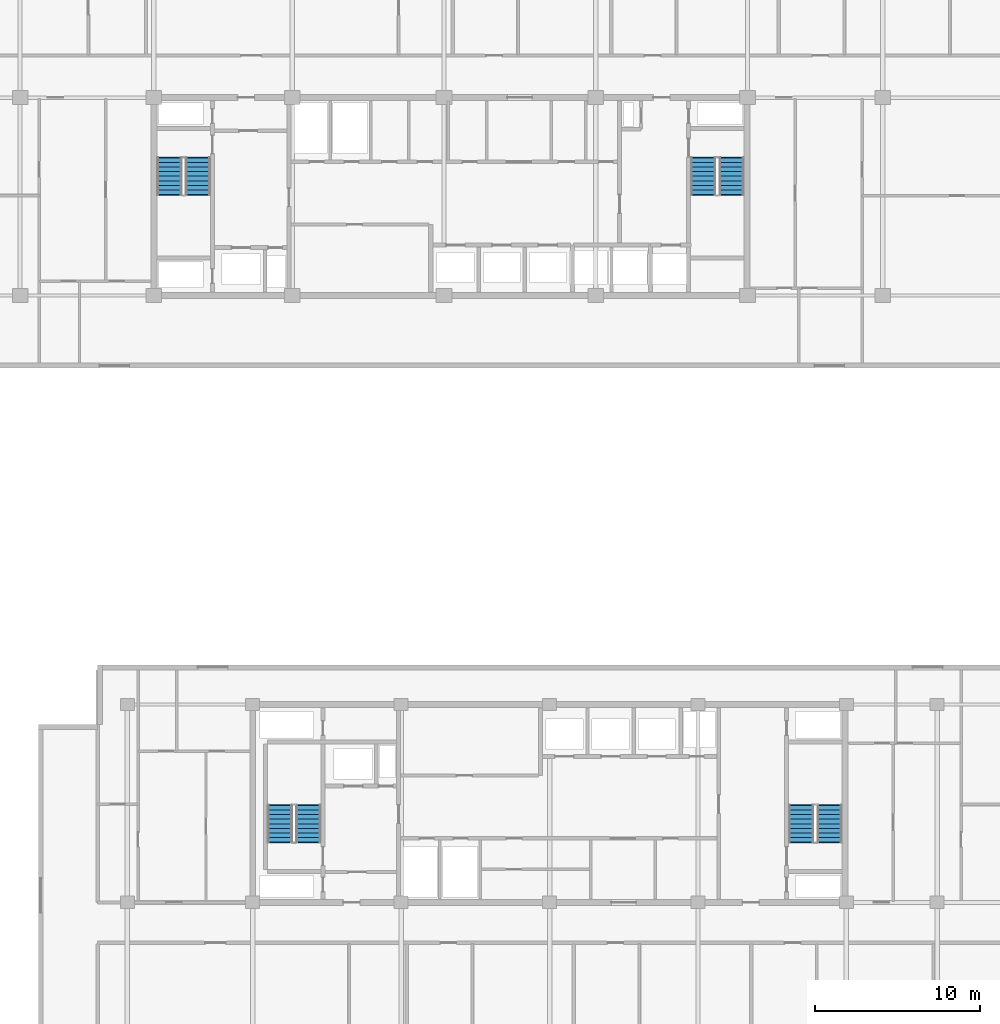
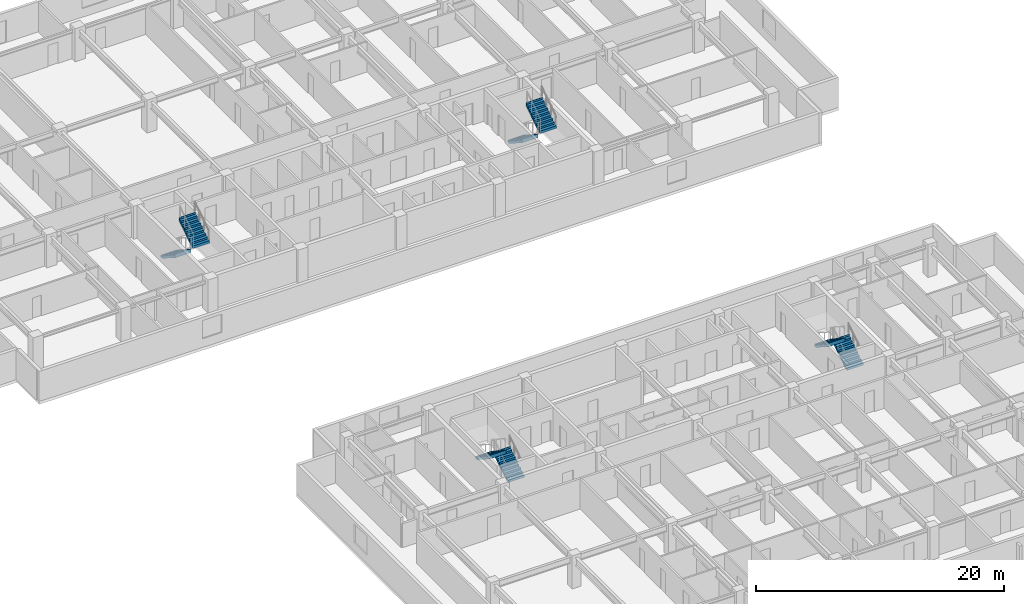
# One storey, part 16 of 21: 8 stair flights, 4 elements without a shape of their own.
"""IFC4 building model written with IfcOpenShell, lengths in metres."""

from ifc_helpers import new_model, si_unit, direction, frame, origin, place, context, subcontext, project, spatial, polyline, outline, extrude, material, type_object, element, aggregate, save


model = new_model("IFC4")

# Units and contexts
model_context = context("Model", 3, precision=1e-05, world=origin(), true_north=direction((0.0, 1.0)))
body_context = subcontext(model_context, "Body", "Model", "MODEL_VIEW")
ifc_project = project(units=[si_unit("LENGTHUNIT", "METRE"), si_unit("AREAUNIT", "SQUARE_METRE"), si_unit("VOLUMEUNIT", "CUBIC_METRE"), si_unit("PLANEANGLEUNIT", "RADIAN"), si_unit("MASSUNIT", "GRAM", prefix="KILO")], contexts=[model_context])

# Site, building, storey
site_placement = place(None, origin())
site = spatial("IfcSite", under=ifc_project, at=site_placement, CompositionType="ELEMENT")
building_placement = place(site_placement, origin())
building = spatial("IfcBuilding", under=site, at=building_placement, Name="Korimba Cascade Residences", CompositionType="ELEMENT")
storey_placement = place(building_placement, frame((0.0, 0.0, 100.300048828125)))
storey = spatial("IfcBuildingStorey", under=building, at=storey_placement, Name="L28", CompositionType="ELEMENT", Elevation=100.300048828125)

# Stair, stair flights
ifc_material = material(Name="Concrete C50/60", Category="concrete")
stair_type_1 = type_object("IfcStairType", Name="STR-W1-18R-1806", PredefinedType="HALF_TURN_STAIR", material=ifc_material)
stair_1_placement = place(storey_placement, origin())
stair_1 = element("IfcStair", 1, at=stair_1_placement, inside=storey, type_object=stair_type_1, Name="L28 Tower 1 West Fire Stair ST-W1", PredefinedType="HALF_TURN_STAIR")
stair_flight_type = type_object("IfcStairFlightType", Name="STF-DL-18R-1806-1520", PredefinedType="STRAIGHT", material=ifc_material)
stair_flight_1_placement = place(storey_placement, frame((77.06005859375, 63.550048828125, 0.0), z_axis=(0.0, 0.0, 1.0), x_axis=(0.0, -1.0, 0.0)))
stair_flight_1 = element("IfcStairFlight", 2, at=stair_flight_1_placement, type_object=stair_flight_type, Name="ST-W1 flight 1", NumberOfRisers=9, NumberOfTreads=8, PredefinedType="STRAIGHT", RiserHeight=0.180555556, TreadLength=0.28, context=body_context, shape_type="SweptSolid", body=[
    extrude(outline(polyline([(-0.0380859375, 0.0), (0.0, 0.1806640625), (0.280029296875, 0.1806640625), (0.280029296875, 0.361083984375), (0.56005859375, 0.361083984375), (0.56005859375, 0.541748046875), (0.840087890625, 0.541748046875), (0.840087890625, 0.72216796875), (1.1201171875, 0.72216796875), (1.1201171875, 0.90283203125), (1.39990234375, 0.90283203125), (1.39990234375, 1.083251953125), (1.679931640625, 1.083251953125), (1.679931640625, 1.263916015625), (1.9599609375, 1.263916015625), (1.9599609375, 1.4443359375), (2.239990234375, 1.4443359375), (2.239990234375, 1.625), (2.278076171875, 1.625), (2.278076171875, 1.26611328125), (0.276611328125, 0.0), (0.276611328125, -0.0380859375), (-0.0380859375, -0.0380859375), (-0.0380859375, 0.0)])), frame((0.0, 0.760009765625, 0.0), z_axis=(0.0, -1.0, 0.0), x_axis=(1.0, 0.0, 0.0)), (0.0, 0.0, 1.0), 1.52001953125),
])
stair_flight_2_placement = place(storey_placement, frame((78.780029296875, 61.31005859375, 1.625), z_axis=(0.0, 0.0, 1.0), x_axis=(0.0, 1.0, 0.0)))
stair_flight_2 = element("IfcStairFlight", 3, at=stair_flight_2_placement, type_object=stair_flight_type, Name="ST-W1 flight 2", NumberOfRisers=9, NumberOfTreads=8, PredefinedType="STRAIGHT", RiserHeight=0.180555556, TreadLength=0.28, context=body_context, shape_type="SweptSolid", body=[
    extrude(outline(polyline([(-0.0380859375, 0.0), (0.0, 0.1806640625), (0.280029296875, 0.1806640625), (0.280029296875, 0.361083984375), (0.56005859375, 0.361083984375), (0.56005859375, 0.541748046875), (0.840087890625, 0.541748046875), (0.840087890625, 0.72216796875), (1.1201171875, 0.72216796875), (1.1201171875, 0.90283203125), (1.39990234375, 0.90283203125), (1.39990234375, 1.083251953125), (1.679931640625, 1.083251953125), (1.679931640625, 1.263916015625), (1.9599609375, 1.263916015625), (1.9599609375, 1.4443359375), (2.239990234375, 1.4443359375), (2.239990234375, 1.625), (2.278076171875, 1.625), (2.278076171875, 1.26611328125), (0.276611328125, 0.0), (0.276611328125, -0.0380859375), (-0.0380859375, -0.0380859375), (-0.0380859375, 0.0)])), frame((0.0, 0.760009765625, 0.0), z_axis=(0.0, -1.0, 0.0), x_axis=(1.0, 0.0, 0.0)), (0.0, 0.0, 1.0), 1.52001953125),
])
aggregate(stair_1, [stair_flight_1, stair_flight_2])

stair_type_2 = type_object("IfcStairType", Name="STR-W2-18R-1806", PredefinedType="HALF_TURN_STAIR", material=ifc_material)
stair_2_placement = place(storey_placement, origin())
stair_2 = element("IfcStair", 4, at=stair_2_placement, inside=storey, type_object=stair_type_2, Name="L28 Tower 1 East Fire Stair ST-W2", PredefinedType="HALF_TURN_STAIR")
stair_flight_3_placement = place(storey_placement, frame((109.419921875, 63.550048828125, 0.0), z_axis=(0.0, 0.0, 1.0), x_axis=(0.0, -1.0, 0.0)))
stair_flight_3 = element("IfcStairFlight", 5, at=stair_flight_3_placement, type_object=stair_flight_type, Name="ST-W2 flight 1", NumberOfRisers=9, NumberOfTreads=8, PredefinedType="STRAIGHT", RiserHeight=0.180555556, TreadLength=0.28, context=body_context, shape_type="SweptSolid", body=[
    extrude(outline(polyline([(-0.0380859375, 0.0), (0.0, 0.1806640625), (0.280029296875, 0.1806640625), (0.280029296875, 0.361083984375), (0.56005859375, 0.361083984375), (0.56005859375, 0.541748046875), (0.840087890625, 0.541748046875), (0.840087890625, 0.72216796875), (1.1201171875, 0.72216796875), (1.1201171875, 0.90283203125), (1.39990234375, 0.90283203125), (1.39990234375, 1.083251953125), (1.679931640625, 1.083251953125), (1.679931640625, 1.263916015625), (1.9599609375, 1.263916015625), (1.9599609375, 1.4443359375), (2.239990234375, 1.4443359375), (2.239990234375, 1.625), (2.278076171875, 1.625), (2.278076171875, 1.26611328125), (0.276611328125, 0.0), (0.276611328125, -0.0380859375), (-0.0380859375, -0.0380859375), (-0.0380859375, 0.0)])), frame((0.0, 0.760009765625, 0.0), z_axis=(0.0, -1.0, 0.0), x_axis=(1.0, 0.0, 0.0)), (0.0, 0.0, 1.0), 1.52001953125),
])
stair_flight_4_placement = place(storey_placement, frame((111.139892578125, 61.31005859375, 1.625), z_axis=(0.0, 0.0, 1.0), x_axis=(0.0, 1.0, 0.0)))
stair_flight_4 = element("IfcStairFlight", 6, at=stair_flight_4_placement, type_object=stair_flight_type, Name="ST-W2 flight 2", NumberOfRisers=9, NumberOfTreads=8, PredefinedType="STRAIGHT", RiserHeight=0.180555556, TreadLength=0.28, context=body_context, shape_type="SweptSolid", body=[
    extrude(outline(polyline([(-0.0380859375, 0.0), (0.0, 0.1806640625), (0.280029296875, 0.1806640625), (0.280029296875, 0.361083984375), (0.56005859375, 0.361083984375), (0.56005859375, 0.541748046875), (0.840087890625, 0.541748046875), (0.840087890625, 0.72216796875), (1.1201171875, 0.72216796875), (1.1201171875, 0.90283203125), (1.39990234375, 0.90283203125), (1.39990234375, 1.083251953125), (1.679931640625, 1.083251953125), (1.679931640625, 1.263916015625), (1.9599609375, 1.263916015625), (1.9599609375, 1.4443359375), (2.239990234375, 1.4443359375), (2.239990234375, 1.625), (2.278076171875, 1.625), (2.278076171875, 1.26611328125), (0.276611328125, 0.0), (0.276611328125, -0.0380859375), (-0.0380859375, -0.0380859375), (-0.0380859375, 0.0)])), frame((0.0, 0.760009765625, 0.0), z_axis=(0.0, -1.0, 0.0), x_axis=(1.0, 0.0, 0.0)), (0.0, 0.0, 1.0), 1.52001953125),
])
aggregate(stair_2, [stair_flight_3, stair_flight_4])

stair_type_3 = type_object("IfcStairType", Name="STR-E1-18R-1806", PredefinedType="HALF_TURN_STAIR", material=ifc_material)
stair_3_placement = place(storey_placement, origin())
stair_3 = element("IfcStair", 7, at=stair_3_placement, inside=storey, type_object=stair_type_3, Name="L28 Tower 2 West Fire Stair ST-E1", PredefinedType="HALF_TURN_STAIR")
stair_flight_5_placement = place(storey_placement, frame((85.47998046875, 22.050048828125, 0.0), z_axis=(0.0, 0.0, 1.0), x_axis=(0.0, 1.0, 0.0)))
stair_flight_5 = element("IfcStairFlight", 8, at=stair_flight_5_placement, type_object=stair_flight_type, Name="ST-E1 flight 1", NumberOfRisers=9, NumberOfTreads=8, PredefinedType="STRAIGHT", RiserHeight=0.180555556, TreadLength=0.28, context=body_context, shape_type="SweptSolid", body=[
    extrude(outline(polyline([(-0.0380859375, 0.0), (0.0, 0.1806640625), (0.280029296875, 0.1806640625), (0.280029296875, 0.361083984375), (0.56005859375, 0.361083984375), (0.56005859375, 0.541748046875), (0.840087890625, 0.541748046875), (0.840087890625, 0.72216796875), (1.1201171875, 0.72216796875), (1.1201171875, 0.90283203125), (1.39990234375, 0.90283203125), (1.39990234375, 1.083251953125), (1.679931640625, 1.083251953125), (1.679931640625, 1.263916015625), (1.9599609375, 1.263916015625), (1.9599609375, 1.4443359375), (2.239990234375, 1.4443359375), (2.239990234375, 1.625), (2.278076171875, 1.625), (2.278076171875, 1.26611328125), (0.276611328125, 0.0), (0.276611328125, -0.0380859375), (-0.0380859375, -0.0380859375), (-0.0380859375, 0.0)])), frame((0.0, 0.760009765625, 0.0), z_axis=(0.0, -1.0, 0.0), x_axis=(1.0, 0.0, 0.0)), (0.0, 0.0, 1.0), 1.52001953125),
])
stair_flight_6_placement = place(storey_placement, frame((83.760009765625, 24.2900390625, 1.625), z_axis=(0.0, 0.0, 1.0), x_axis=(0.0, -1.0, 0.0)))
stair_flight_6 = element("IfcStairFlight", 9, at=stair_flight_6_placement, type_object=stair_flight_type, Name="ST-E1 flight 2", NumberOfRisers=9, NumberOfTreads=8, PredefinedType="STRAIGHT", RiserHeight=0.180555556, TreadLength=0.28, context=body_context, shape_type="SweptSolid", body=[
    extrude(outline(polyline([(-0.0380859375, 0.0), (0.0, 0.1806640625), (0.280029296875, 0.1806640625), (0.280029296875, 0.361083984375), (0.56005859375, 0.361083984375), (0.56005859375, 0.541748046875), (0.840087890625, 0.541748046875), (0.840087890625, 0.72216796875), (1.1201171875, 0.72216796875), (1.1201171875, 0.90283203125), (1.39990234375, 0.90283203125), (1.39990234375, 1.083251953125), (1.679931640625, 1.083251953125), (1.679931640625, 1.263916015625), (1.9599609375, 1.263916015625), (1.9599609375, 1.4443359375), (2.239990234375, 1.4443359375), (2.239990234375, 1.625), (2.278076171875, 1.625), (2.278076171875, 1.26611328125), (0.276611328125, 0.0), (0.276611328125, -0.0380859375), (-0.0380859375, -0.0380859375), (-0.0380859375, 0.0)])), frame((0.0, 0.760009765625, 0.0), z_axis=(0.0, -1.0, 0.0), x_axis=(1.0, 0.0, 0.0)), (0.0, 0.0, 1.0), 1.52001953125),
])
aggregate(stair_3, [stair_flight_5, stair_flight_6])

stair_type_4 = type_object("IfcStairType", Name="STR-E2-18R-1806", PredefinedType="HALF_TURN_STAIR", material=ifc_material)
stair_4_placement = place(storey_placement, origin())
stair_4 = element("IfcStair", 10, at=stair_4_placement, inside=storey, type_object=stair_type_4, Name="L28 Tower 2 East Fire Stair ST-E2", PredefinedType="HALF_TURN_STAIR")
stair_flight_7_placement = place(storey_placement, frame((117.080078125, 22.050048828125, 0.0), z_axis=(0.0, 0.0, 1.0), x_axis=(0.0, 1.0, 0.0)))
stair_flight_7 = element("IfcStairFlight", 11, at=stair_flight_7_placement, type_object=stair_flight_type, Name="ST-E2 flight 1", NumberOfRisers=9, NumberOfTreads=8, PredefinedType="STRAIGHT", RiserHeight=0.180555556, TreadLength=0.28, context=body_context, shape_type="SweptSolid", body=[
    extrude(outline(polyline([(-0.0380859375, 0.0), (0.0, 0.1806640625), (0.280029296875, 0.1806640625), (0.280029296875, 0.361083984375), (0.56005859375, 0.361083984375), (0.56005859375, 0.541748046875), (0.840087890625, 0.541748046875), (0.840087890625, 0.72216796875), (1.1201171875, 0.72216796875), (1.1201171875, 0.90283203125), (1.39990234375, 0.90283203125), (1.39990234375, 1.083251953125), (1.679931640625, 1.083251953125), (1.679931640625, 1.263916015625), (1.9599609375, 1.263916015625), (1.9599609375, 1.4443359375), (2.239990234375, 1.4443359375), (2.239990234375, 1.625), (2.278076171875, 1.625), (2.278076171875, 1.26611328125), (0.276611328125, 0.0), (0.276611328125, -0.0380859375), (-0.0380859375, -0.0380859375), (-0.0380859375, 0.0)])), frame((0.0, 0.760009765625, 0.0), z_axis=(0.0, -1.0, 0.0), x_axis=(1.0, 0.0, 0.0)), (0.0, 0.0, 1.0), 1.52001953125),
])
stair_flight_8_placement = place(storey_placement, frame((115.360107421875, 24.2900390625, 1.625), z_axis=(0.0, 0.0, 1.0), x_axis=(0.0, -1.0, 0.0)))
stair_flight_8 = element("IfcStairFlight", 12, at=stair_flight_8_placement, type_object=stair_flight_type, Name="ST-E2 flight 2", NumberOfRisers=9, NumberOfTreads=8, PredefinedType="STRAIGHT", RiserHeight=0.180555556, TreadLength=0.28, context=body_context, shape_type="SweptSolid", body=[
    extrude(outline(polyline([(-0.0380859375, 0.0), (0.0, 0.1806640625), (0.280029296875, 0.1806640625), (0.280029296875, 0.361083984375), (0.56005859375, 0.361083984375), (0.56005859375, 0.541748046875), (0.840087890625, 0.541748046875), (0.840087890625, 0.72216796875), (1.1201171875, 0.72216796875), (1.1201171875, 0.90283203125), (1.39990234375, 0.90283203125), (1.39990234375, 1.083251953125), (1.679931640625, 1.083251953125), (1.679931640625, 1.263916015625), (1.9599609375, 1.263916015625), (1.9599609375, 1.4443359375), (2.239990234375, 1.4443359375), (2.239990234375, 1.625), (2.278076171875, 1.625), (2.278076171875, 1.26611328125), (0.276611328125, 0.0), (0.276611328125, -0.0380859375), (-0.0380859375, -0.0380859375), (-0.0380859375, 0.0)])), frame((0.0, 0.760009765625, 0.0), z_axis=(0.0, -1.0, 0.0), x_axis=(1.0, 0.0, 0.0)), (0.0, 0.0, 1.0), 1.52001953125),
])
aggregate(stair_4, [stair_flight_7, stair_flight_8])

save(model, "model.ifc")
